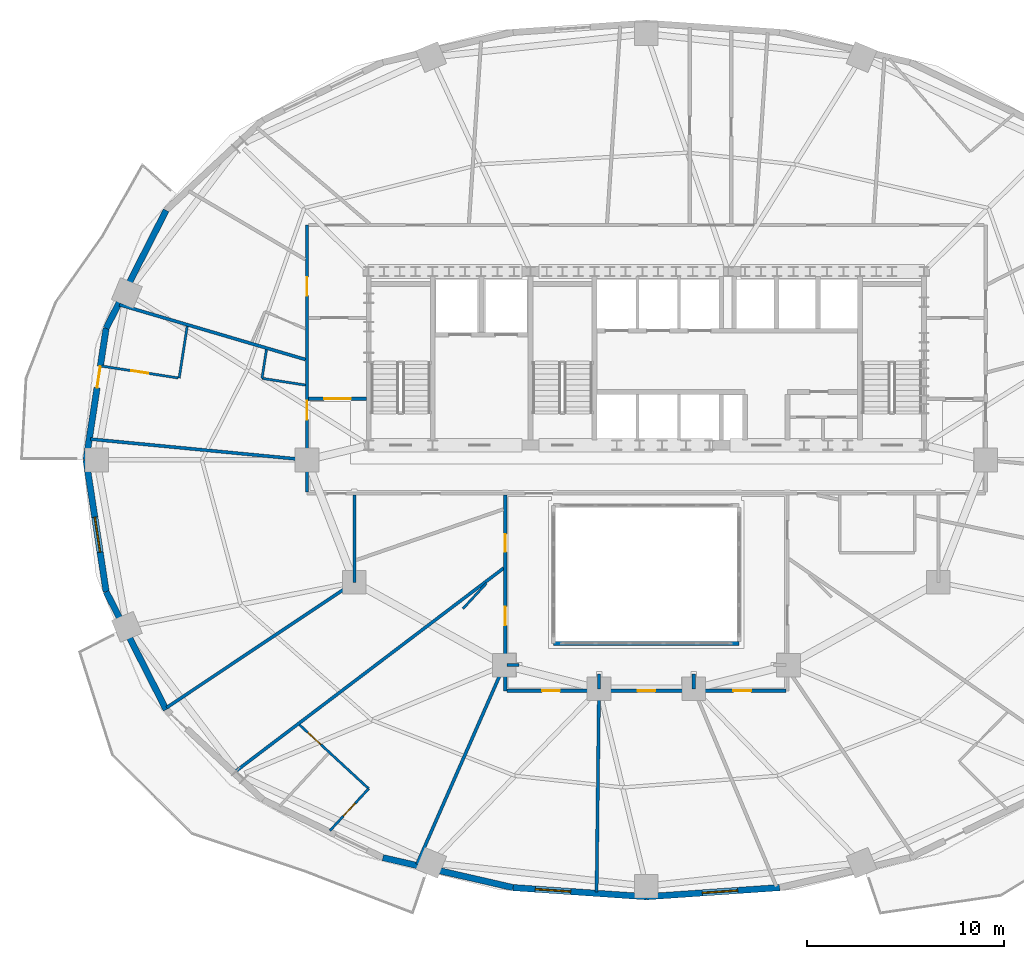
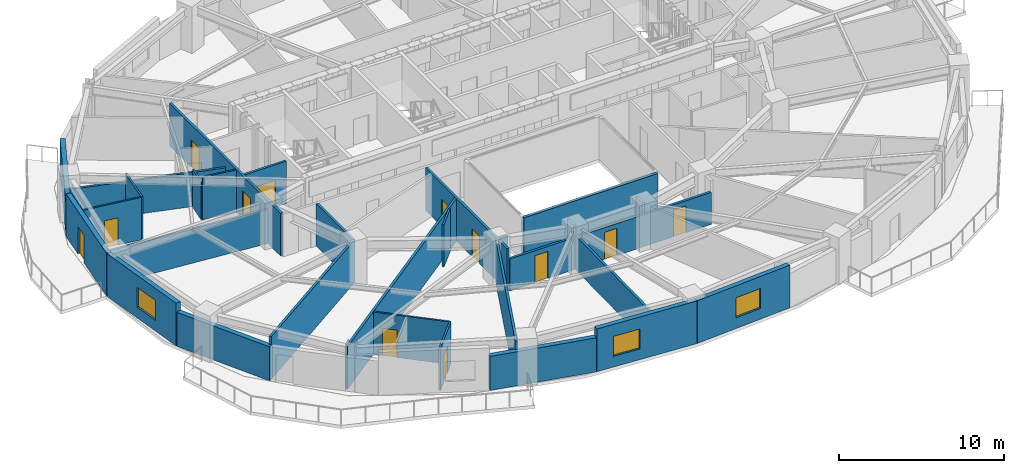
# One storey, part 7 of 14: 29 walls, 12 doors, 3 windows, 15 openings.
"""IFC4 building model written with IfcOpenShell, lengths in metres."""

from ifc_helpers import new_model, si_unit, direction, frame, frame_2d, origin, place, context, subcontext, project, spatial, rectangle, extrude, material, layer, layer_set, type_object, element, fill, save


model = new_model("IFC4")

# Units and contexts
model_context = context("Model", 3, precision=1e-05, world=origin(), true_north=direction((0.0, 1.0)))
body_context = subcontext(model_context, "Body", "Model", "MODEL_VIEW")
ifc_project = project(units=[si_unit("LENGTHUNIT", "METRE"), si_unit("AREAUNIT", "SQUARE_METRE"), si_unit("VOLUMEUNIT", "CUBIC_METRE"), si_unit("PLANEANGLEUNIT", "RADIAN"), si_unit("MASSUNIT", "GRAM", prefix="KILO")], contexts=[model_context])

# Site, building, storey
site_placement = place(None, origin())
site = spatial("IfcSite", under=ifc_project, at=site_placement, CompositionType="ELEMENT")
building_placement = place(site_placement, origin())
building = spatial("IfcBuilding", under=site, at=building_placement, Name="Haldorwick Loom Tower", CompositionType="ELEMENT")
storey_placement = place(building_placement, frame((0.0, 0.0, 102.5)))
storey = spatial("IfcBuildingStorey", under=building, at=storey_placement, Name="L27", CompositionType="ELEMENT", Elevation=102.5)

# Wall
ifc_material_1 = material(Name="Pressed Clay Face Brick and Insulated Masonry Backup Assembly", Category="masonry")
ifc_layer_1 = layer(ifc_material_1, 0.320068359375, Name="Pressed Clay Face Brick and Insulated Masonry Backup Assembly", Category="masonry")
ifc_layer_set_1 = layer_set([ifc_layer_1], Name="Pressed Clay Face Brick and Insulated Masonry Backup Assembly")
wall_type_1 = type_object("IfcWallType", Name="ARC-WL-EXT320", PredefinedType="STANDARD", material=ifc_layer_set_1)
wall_1_placement = place(storey_placement, frame((11.661376953125, 38.655517578125, 0.0), z_axis=(0.0, 0.0, 1.0), x_axis=(-0.453374078001, -0.89132033826, 0.0)))
element("IfcWall", 1, at=wall_1_placement, inside=storey, type_object=wall_type_1, Name="L27 Brick Pier and Spandrel Wall 11", PredefinedType="STANDARD", context=body_context, shape_type="SweptSolid", body=[
    extrude(rectangle(XDim=6.709716796875, YDim=0.320068359375, at=frame_2d((3.35498046875, 0.0))), origin(), (0.0, 0.0, 1.0), 2.529052734375),
])

# Wall, opening, door
wall_2_placement = place(storey_placement, frame((8.619384765625, 32.675048828125, 0.0), z_axis=(0.0, 0.0, 1.0), x_axis=(-0.150633288003, -0.988589708901, 0.0)))
wall_2 = element("IfcWall", 2, at=wall_2_placement, inside=storey, type_object=wall_type_1, Name="L27 Brick Pier and Spandrel Wall 12", PredefinedType="STANDARD", context=body_context, shape_type="SweptSolid", body=[
    extrude(rectangle(XDim=6.752197265625, YDim=0.320068359375, at=frame_2d((3.3759765625, 0.0))), origin(), (0.0, 0.0, 1.0), 3.169921875),
])
opening_1_placement = place(wall_2_placement, frame((1.9638671875, 0.0, 0.0)))
opening_1 = element("IfcOpeningElement", 3, at=opening_1_placement, cuts=wall_2, Name="Opening D-BL11", PredefinedType="OPENING", context=body_context, shape_type="SweptSolid", body=[
    extrude(rectangle(XDim=1.080078125, YDim=2.0400390625, at=frame_2d((0.5400390625, 1.02001953125))), frame((0.0, 0.169921875, 0.0), z_axis=(0.0, -1.0, 0.0), x_axis=(1.0, 0.0, 0.0)), (0.0, 0.0, 1.0), 0.340087890625),
])
ifc_material_2 = material(Name="Thermally Broken Anodized Aluminium Curtain Wall Framing", Category="aluminium")
door_type_1 = type_object("IfcDoorType", Name="ARC-DR-BAL110", OperationType="NOTDEFINED", PredefinedType="DOOR", material=ifc_material_2)
door_1_placement = place(opening_1_placement, origin())
door_1 = element("IfcDoor", 4, at=door_1_placement, inside=storey, type_object=door_type_1, Name="L27 Outdoor Terrace Door SLB-L27-BAL_WNW", OperationType="SINGLE_SWING_LEFT", OverallHeight=2.0400390625, OverallWidth=1.080078125, PredefinedType="DOOR", context=body_context, shape_type="SweptSolid", body=[
    extrude(rectangle(XDim=1.080078125, YDim=2.0400390625, at=frame_2d((0.5400390625, 1.02001953125))), frame((0.0, 0.02490234375, 0.0), z_axis=(0.0, -1.0, 0.0), x_axis=(1.0, 0.0, 0.0)), (0.0, 0.0, 1.0), 0.050048828125),
])
fill(opening_1, door_1)

# Wall, opening, window
wall_3_placement = place(storey_placement, frame((7.602294921875, 26.0, 0.0), z_axis=(0.0, 0.0, 1.0), x_axis=(0.150633288003, -0.988589708901, 0.0)))
wall_3 = element("IfcWall", 5, at=wall_3_placement, inside=storey, type_object=wall_type_1, Name="L27 Brick Pier and Spandrel Wall 13", PredefinedType="STANDARD", context=body_context, shape_type="SweptSolid", body=[
    extrude(rectangle(XDim=6.752197265625, YDim=0.320068359375, at=frame_2d((3.3759765625, 0.0))), origin(), (0.0, 0.0, 1.0), 3.169921875),
])
opening_2_placement = place(wall_3_placement, frame((2.92724609375, 0.0, 0.800048828125)))
opening_2 = element("IfcOpeningElement", 6, at=opening_2_placement, cuts=wall_3, Name="Opening W-01", PredefinedType="OPENING", context=body_context, shape_type="SweptSolid", body=[
    extrude(rectangle(XDim=1.800048828125, YDim=1.47998046875, at=frame_2d((0.89990234375, 0.739990234375))), frame((0.0, 0.169921875, 0.0), z_axis=(0.0, -1.0, 0.0), x_axis=(1.0, 0.0, 0.0)), (0.0, 0.0, 1.0), 0.340087890625),
])
ifc_material_3 = material(Name="Triple-Glazed Low-E Argon Insulated Glazing Unit", Category="glass")
window_type = type_object("IfcWindowType", Name="ARC-WIN-W180", PartitioningType="SINGLE_PANEL", PredefinedType="WINDOW", material=ifc_material_3)
window_1_placement = place(opening_2_placement, origin())
window_1 = element("IfcWindow", 7, at=window_1_placement, inside=storey, type_object=window_type, Name="L27 Deep-Set Zone 7A Window 13", OverallHeight=1.47998046875, OverallWidth=1.800048828125, PartitioningType="SINGLE_PANEL", PredefinedType="WINDOW", context=body_context, shape_type="SweptSolid", body=[
    extrude(rectangle(XDim=1.800048828125, YDim=1.47998046875, at=frame_2d((0.89990234375, 0.739990234375))), frame((0.0, 0.030029296875, 0.0), z_axis=(0.0, -1.0, 0.0), x_axis=(1.0, 0.0, 0.0)), (0.0, 0.0, 1.0), 0.06005859375),
])
fill(opening_2, window_1)

# Walls
wall_4_placement = place(storey_placement, frame((8.619384765625, 19.324951171875, 0.0), z_axis=(0.0, 0.0, 1.0), x_axis=(0.453374078001, -0.89132033826, 0.0)))
element("IfcWall", 8, at=wall_4_placement, inside=storey, type_object=wall_type_1, Name="L27 Brick Pier and Spandrel Wall 14", PredefinedType="STANDARD", context=body_context, shape_type="SweptSolid", body=[
    extrude(rectangle(XDim=6.709716796875, YDim=0.320068359375, at=frame_2d((3.35498046875, 0.0))), origin(), (0.0, 0.0, 1.0), 2.529052734375),
])
wall_5_placement = place(storey_placement, frame((22.647216796875, 5.841552734375, 0.0), z_axis=(0.0, 0.0, 1.0), x_axis=(0.974584177714, -0.224021607329, 0.0)))
element("IfcWall", 9, at=wall_5_placement, inside=storey, type_object=wall_type_1, Name="L27 Brick Pier and Spandrel Wall 17", PredefinedType="STANDARD", context=body_context, shape_type="SweptSolid", body=[
    extrude(rectangle(XDim=6.767822265625, YDim=0.320068359375, at=frame_2d((3.3837890625, 0.0))), origin(), (0.0, 0.0, 1.0), 2.529052734375),
])

# Wall, opening, window
wall_6_placement = place(storey_placement, frame((29.242919921875, 4.325439453125, 0.0), z_axis=(0.0, 0.0, 1.0), x_axis=(0.997651949344, -0.068487867318, 0.0)))
wall_6 = element("IfcWall", 10, at=wall_6_placement, inside=storey, type_object=wall_type_1, Name="L27 Brick Pier and Spandrel Wall 18", PredefinedType="STANDARD", context=body_context, shape_type="SweptSolid", body=[
    extrude(rectangle(XDim=6.77294921875, YDim=0.320068359375, at=frame_2d((3.386474609375, 0.0))), origin(), (0.0, 0.0, 1.0), 3.169921875),
])
opening_3_placement = place(wall_6_placement, frame((1.1318359375, 0.0, 0.800048828125)))
opening_3 = element("IfcOpeningElement", 11, at=opening_3_placement, cuts=wall_6, Name="Opening W-01", PredefinedType="OPENING", context=body_context, shape_type="SweptSolid", body=[
    extrude(rectangle(XDim=1.800048828125, YDim=1.47998046875, at=frame_2d((0.89990234375, 0.739990234375))), frame((0.0, 0.169921875, 0.0), z_axis=(0.0, -1.0, 0.0), x_axis=(1.0, 0.0, 0.0)), (0.0, 0.0, 1.0), 0.340087890625),
])
window_2_placement = place(opening_3_placement, origin())
window_2 = element("IfcWindow", 12, at=window_2_placement, inside=storey, type_object=window_type, Name="L27 Deep-Set Zone 7A Window 18", OverallHeight=1.47998046875, OverallWidth=1.800048828125, PartitioningType="SINGLE_PANEL", PredefinedType="WINDOW", context=body_context, shape_type="SweptSolid", body=[
    extrude(rectangle(XDim=1.800048828125, YDim=1.47998046875, at=frame_2d((0.89990234375, 0.739990234375))), frame((0.0, 0.030029296875, 0.0), z_axis=(0.0, -1.0, 0.0), x_axis=(1.0, 0.0, 0.0)), (0.0, 0.0, 1.0), 0.06005859375),
])
fill(opening_3, window_2)

wall_7_placement = place(storey_placement, frame((36.0, 3.861572265625, 0.0), z_axis=(0.0, 0.0, 1.0), x_axis=(0.997651949344, 0.068487867318, 0.0)))
wall_7 = element("IfcWall", 13, at=wall_7_placement, inside=storey, type_object=wall_type_1, Name="L27 Brick Pier and Spandrel Wall 19", PredefinedType="STANDARD", context=body_context, shape_type="SweptSolid", body=[
    extrude(rectangle(XDim=6.77294921875, YDim=0.320068359375, at=frame_2d((3.386474609375, 0.0))), origin(), (0.0, 0.0, 1.0), 3.169921875),
])
opening_4_placement = place(wall_7_placement, frame((2.84423828125, 0.0, 0.800048828125)))
opening_4 = element("IfcOpeningElement", 14, at=opening_4_placement, cuts=wall_7, Name="Opening W-01", PredefinedType="OPENING", context=body_context, shape_type="SweptSolid", body=[
    extrude(rectangle(XDim=1.800048828125, YDim=1.47998046875, at=frame_2d((0.89990234375, 0.739990234375))), frame((0.0, 0.169921875, 0.0), z_axis=(0.0, -1.0, 0.0), x_axis=(1.0, 0.0, 0.0)), (0.0, 0.0, 1.0), 0.340087890625),
])
window_3_placement = place(opening_4_placement, origin())
window_3 = element("IfcWindow", 15, at=window_3_placement, inside=storey, type_object=window_type, Name="L27 Deep-Set Zone 7A Window 19", OverallHeight=1.47998046875, OverallWidth=1.800048828125, PartitioningType="SINGLE_PANEL", PredefinedType="WINDOW", context=body_context, shape_type="SweptSolid", body=[
    extrude(rectangle(XDim=1.800048828125, YDim=1.47998046875, at=frame_2d((0.89990234375, 0.739990234375))), frame((0.0, 0.030029296875, 0.0), z_axis=(0.0, -1.0, 0.0), x_axis=(1.0, 0.0, 0.0)), (0.0, 0.0, 1.0), 0.06005859375),
])
fill(opening_4, window_3)

# Wall, openings, doors
ifc_material_4 = material(Name="Fire-Rated Type X Gypsum Stud Assembly EI 60")
ifc_layer_2 = layer(ifc_material_4, 0.159912109375, Name="Fire-Rated Type X Gypsum Stud Assembly EI 60")
ifc_layer_set_2 = layer_set([ifc_layer_2], Name="Fire-Rated Type X Gypsum Stud Assembly EI 60")
wall_type_2 = type_object("IfcWallType", Name="ARC-WL-FIRE160", PredefinedType="PARTITIONING", material=ifc_layer_set_2)
wall_8_placement = place(storey_placement, frame((18.800048828125, 24.383056640625, 0.0), z_axis=(0.0, 0.0, 1.0), x_axis=(0.0, 1.0, 0.0)))
wall_8 = element("IfcWall", 16, at=wall_8_placement, inside=storey, type_object=wall_type_2, Name="L27 Residential Fire Partition L27-CR-W0", PredefinedType="PARTITIONING", context=body_context, shape_type="SweptSolid", body=[
    extrude(rectangle(XDim=13.516845703125, YDim=0.159912109375, at=frame_2d((6.75830078125, 0.0))), origin(), (0.0, 0.0, 1.0), 3.155029296875),
])
opening_5_placement = place(wall_8_placement, frame((3.661865234375, 0.0, 0.0)))
opening_5 = element("IfcOpeningElement", 17, at=opening_5_placement, cuts=wall_8, Name="Opening D-FL95", PredefinedType="OPENING", context=body_context, shape_type="SweptSolid", body=[
    extrude(rectangle(XDim=0.949951171875, YDim=2.0400390625, at=frame_2d((0.47509765625, 1.02001953125))), frame((0.0, 0.08984375, 0.0), z_axis=(0.0, -1.0, 0.0), x_axis=(1.0, 0.0, 0.0)), (0.0, 0.0, 1.0), 0.179931640625),
])
opening_6_placement = place(wall_8_placement, frame((9.939697265625, 0.0, 0.0)))
opening_6 = element("IfcOpeningElement", 18, at=opening_6_placement, cuts=wall_8, Name="Opening D-FL95", PredefinedType="OPENING", context=body_context, shape_type="SweptSolid", body=[
    extrude(rectangle(XDim=0.949951171875, YDim=2.0400390625, at=frame_2d((0.47509765625, 1.02001953125))), frame((0.0, 0.08984375, 0.0), z_axis=(0.0, -1.0, 0.0), x_axis=(1.0, 0.0, 0.0)), (0.0, 0.0, 1.0), 0.179931640625),
])
ifc_material_5 = material(Name="Solid Core Birch Architectural Door")
door_type_2 = type_object("IfcDoorType", Name="ARC-DR-FLAT95", OperationType="NOTDEFINED", PredefinedType="DOOR", material=ifc_material_5)
door_2_placement = place(opening_5_placement, frame((0.949951171875, 0.0, 0.0), z_axis=(0.0, 0.0, 1.0), x_axis=(-1.0, 0.0, 0.0)))
door_2 = element("IfcDoor", 19, at=door_2_placement, inside=storey, type_object=door_type_2, Name="L27 Unit 27J Kitchen and Studio Living Room to L27 Central Residential C", OperationType="SINGLE_SWING_LEFT", OverallHeight=2.0400390625, OverallWidth=0.949951171875, PredefinedType="DOOR", context=body_context, shape_type="SweptSolid", body=[
    extrude(rectangle(XDim=0.949951171875, YDim=2.0400390625, at=frame_2d((0.47509765625, 1.02001953125))), frame((0.0, 0.02490234375, 0.0), z_axis=(0.0, -1.0, 0.0), x_axis=(1.0, 0.0, 0.0)), (0.0, 0.0, 1.0), 0.050048828125),
])
fill(opening_5, door_2)
door_3_placement = place(opening_6_placement, frame((0.949951171875, 0.0, 0.0), z_axis=(0.0, 0.0, 1.0), x_axis=(-1.0, 0.0, 0.0)))
door_3 = element("IfcDoor", 20, at=door_3_placement, inside=storey, type_object=door_type_2, Name="L27 Unit 27K Kitchen and Studio Living Room to L27 North Residential Cor", OperationType="SINGLE_SWING_LEFT", OverallHeight=2.0400390625, OverallWidth=0.949951171875, PredefinedType="DOOR", context=body_context, shape_type="SweptSolid", body=[
    extrude(rectangle(XDim=0.949951171875, YDim=2.0400390625, at=frame_2d((0.47509765625, 1.02001953125))), frame((0.0, 0.02490234375, 0.0), z_axis=(0.0, -1.0, 0.0), x_axis=(1.0, 0.0, 0.0)), (0.0, 0.0, 1.0), 0.050048828125),
])
fill(opening_6, door_3)

# Wall, opening, door
wall_9_placement = place(storey_placement, frame((18.883056640625, 29.10009765625, 0.0), z_axis=(0.0, 0.0, 1.0), x_axis=(1.0, 0.0, 0.0)))
wall_9 = element("IfcWall", 21, at=wall_9_placement, inside=storey, type_object=wall_type_2, Name="L27 Residential Fire Partition L27-CR-WSJ", PredefinedType="PARTITIONING", context=body_context, shape_type="SweptSolid", body=[
    extrude(rectangle(XDim=2.923828125, YDim=0.159912109375, at=frame_2d((1.4619140625, 0.0))), origin(), (0.0, 0.0, 1.0), 3.155029296875),
])
opening_7_placement = place(wall_9_placement, frame((0.787109375, 0.0, 0.0)))
opening_7 = element("IfcOpeningElement", 22, at=opening_7_placement, cuts=wall_9, Name="Opening D-CR15", PredefinedType="OPENING", context=body_context, shape_type="SweptSolid", body=[
    extrude(rectangle(XDim=1.35009765625, YDim=2.0, at=frame_2d((0.675048828125, 1.0))), frame((0.0, 0.08984375, 0.0), z_axis=(0.0, -1.0, 0.0), x_axis=(1.0, 0.0, 0.0)), (0.0, 0.0, 1.0), 0.179931640625),
])
ifc_material_6 = material(Name="Thermally Broken Anodized Aluminium and Tempered Glass", Category="aluminium")
door_type_3 = type_object("IfcDoorType", Name="ARC-DR-COR150", OperationType="NOTDEFINED", PredefinedType="DOOR", material=ifc_material_6)
door_4_placement = place(opening_7_placement, origin())
door_4 = element("IfcDoor", 23, at=door_4_placement, inside=storey, type_object=door_type_3, Name="L27 L27 West Residential Corridor to L27 Central Residential Corridor Do", OperationType="DOUBLE_DOOR_SINGLE_SWING", OverallHeight=2.0, OverallWidth=1.35009765625, PredefinedType="DOOR", context=body_context, shape_type="SweptSolid", body=[
    extrude(rectangle(XDim=1.35009765625, YDim=2.0, at=frame_2d((0.675048828125, 1.0))), frame((0.0, 0.02490234375, 0.0), z_axis=(0.0, -1.0, 0.0), x_axis=(1.0, 0.0, 0.0)), (0.0, 0.0, 1.0), 0.050048828125),
])
fill(opening_7, door_4)

# Wall, openings, doors
wall_10_placement = place(storey_placement, frame((28.85009765625, 14.300048828125, 0.0), z_axis=(0.0, 0.0, 1.0), x_axis=(0.0, 1.0, 0.0)))
wall_10 = element("IfcWall", 24, at=wall_10_placement, inside=storey, type_object=wall_type_2, Name="L27 Residential Fire Partition L27-CR-AW", PredefinedType="PARTITIONING", context=body_context, shape_type="SweptSolid", body=[
    extrude(rectangle(XDim=9.9169921875, YDim=0.159912109375, at=frame_2d((4.95849609375, 0.0))), origin(), (0.0, 0.0, 1.0), 3.155029296875),
])
opening_8_placement = place(wall_10_placement, frame((3.3125, 0.0, 0.0)))
opening_8 = element("IfcOpeningElement", 25, at=opening_8_placement, cuts=wall_10, Name="Opening D-FL95", PredefinedType="OPENING", context=body_context, shape_type="SweptSolid", body=[
    extrude(rectangle(XDim=0.949951171875, YDim=2.0400390625, at=frame_2d((0.47509765625, 1.02001953125))), frame((0.0, 0.08984375, 0.0), z_axis=(0.0, -1.0, 0.0), x_axis=(1.0, 0.0, 0.0)), (0.0, 0.0, 1.0), 0.179931640625),
])
opening_9_placement = place(wall_10_placement, frame((7.042724609375, 0.0, 0.0)))
opening_9 = element("IfcOpeningElement", 26, at=opening_9_placement, cuts=wall_10, Name="Opening D-FD60A", PredefinedType="OPENING", context=body_context, shape_type="SweptSolid", body=[
    extrude(rectangle(XDim=0.89990234375, YDim=2.0, at=frame_2d((0.449951171875, 1.0))), frame((0.0, 0.08984375, 0.0), z_axis=(0.0, -1.0, 0.0), x_axis=(1.0, 0.0, 0.0)), (0.0, 0.0, 1.0), 0.179931640625),
])
ifc_material_7 = material(Name="Hollow Steel Fire Door Assembly", Category="steel")
door_type_4 = type_object("IfcDoorType", Name="ARC-DR-FD60-90", OperationType="NOTDEFINED", PredefinedType="DOOR", material=ifc_material_7)
door_5_placement = place(opening_9_placement, frame((0.89990234375, 0.0, 0.0), z_axis=(0.0, 0.0, 1.0), x_axis=(-1.0, 0.0, 0.0)))
door_5 = element("IfcDoor", 27, at=door_5_placement, inside=storey, type_object=door_type_4, Name="L27 Co-Working Open Office 5 to L27 South Atrium Corridor Door", OperationType="SINGLE_SWING_RIGHT", OverallHeight=2.0, OverallWidth=0.89990234375, PredefinedType="DOOR", context=body_context, shape_type="SweptSolid", body=[
    extrude(rectangle(XDim=0.89990234375, YDim=2.0, at=frame_2d((0.449951171875, 1.0))), frame((0.0, 0.02490234375, 0.0), z_axis=(0.0, -1.0, 0.0), x_axis=(1.0, 0.0, 0.0)), (0.0, 0.0, 1.0), 0.050048828125),
])
fill(opening_9, door_5)
door_6_placement = place(opening_8_placement, frame((0.949951171875, 0.0, 0.0), z_axis=(0.0, 0.0, 1.0), x_axis=(-1.0, 0.0, 0.0)))
door_6 = element("IfcDoor", 28, at=door_6_placement, inside=storey, type_object=door_type_2, Name="L27 Unit 27M Kitchen and Living Room to L27 South Atrium Corridor Door", OperationType="SINGLE_SWING_RIGHT", OverallHeight=2.0400390625, OverallWidth=0.949951171875, PredefinedType="DOOR", context=body_context, shape_type="SweptSolid", body=[
    extrude(rectangle(XDim=0.949951171875, YDim=2.0400390625, at=frame_2d((0.47509765625, 1.02001953125))), frame((0.0, 0.02490234375, 0.0), z_axis=(0.0, -1.0, 0.0), x_axis=(1.0, 0.0, 0.0)), (0.0, 0.0, 1.0), 0.050048828125),
])
fill(opening_8, door_6)

wall_11_placement = place(storey_placement, frame((28.93310546875, 14.300048828125, 0.0), z_axis=(0.0, 0.0, 1.0), x_axis=(1.0, 0.0, 0.0)))
wall_11 = element("IfcWall", 29, at=wall_11_placement, inside=storey, type_object=wall_type_2, Name="L27 Residential Fire Partition L27-CR-AS", PredefinedType="PARTITIONING", context=body_context, shape_type="SweptSolid", body=[
    extrude(rectangle(XDim=14.1337890625, YDim=0.159912109375, at=frame_2d((7.06689453125, 0.0))), origin(), (0.0, 0.0, 1.0), 2.3720703125),
])
opening_10_placement = place(wall_11_placement, frame((6.626953125, 0.0, 0.0)))
opening_10 = element("IfcOpeningElement", 30, at=opening_10_placement, cuts=wall_11, Name="Opening D-FD88", PredefinedType="OPENING", context=body_context, shape_type="SweptSolid", body=[
    extrude(rectangle(XDim=0.8798828125, YDim=2.02001953125, at=frame_2d((0.43994140625, 1.010009765625))), frame((0.0, 0.08984375, 0.0), z_axis=(0.0, -1.0, 0.0), x_axis=(1.0, 0.0, 0.0)), (0.0, 0.0, 1.0), 0.179931640625),
])
opening_11_placement = place(wall_11_placement, frame((1.77880859375, 0.0, 0.0)))
opening_11 = element("IfcOpeningElement", 31, at=opening_11_placement, cuts=wall_11, Name="Opening D-FD60A", PredefinedType="OPENING", context=body_context, shape_type="SweptSolid", body=[
    extrude(rectangle(XDim=0.89990234375, YDim=2.0, at=frame_2d((0.449951171875, 1.0))), frame((0.0, 0.08984375, 0.0), z_axis=(0.0, -1.0, 0.0), x_axis=(1.0, 0.0, 0.0)), (0.0, 0.0, 1.0), 0.179931640625),
])
opening_12_placement = place(wall_11_placement, frame((11.4755859375, 0.0, 0.0)))
opening_12 = element("IfcOpeningElement", 32, at=opening_12_placement, cuts=wall_11, Name="Opening D-FD60A", PredefinedType="OPENING", context=body_context, shape_type="SweptSolid", body=[
    extrude(rectangle(XDim=0.89990234375, YDim=2.0, at=frame_2d((0.449951171875, 1.0))), frame((0.0, 0.08984375, 0.0), z_axis=(0.0, -1.0, 0.0), x_axis=(1.0, 0.0, 0.0)), (0.0, 0.0, 1.0), 0.179931640625),
])
door_type_5 = type_object("IfcDoorType", Name="ARC-DR-FD60-88", OperationType="NOTDEFINED", PredefinedType="DOOR", material=ifc_material_7)
door_7_placement = place(opening_10_placement, origin())
door_7 = element("IfcDoor", 33, at=door_7_placement, inside=storey, type_object=door_type_5, Name="L27 L27 South Atrium Corridor to Shared Tea Pantry 1 Door", OperationType="SINGLE_SWING_LEFT", OverallHeight=2.02001953125, OverallWidth=0.8798828125, PredefinedType="DOOR", context=body_context, shape_type="SweptSolid", body=[
    extrude(rectangle(XDim=0.8798828125, YDim=2.02001953125, at=frame_2d((0.43994140625, 1.010009765625))), frame((0.0, 0.02490234375, 0.0), z_axis=(0.0, -1.0, 0.0), x_axis=(1.0, 0.0, 0.0)), (0.0, 0.0, 1.0), 0.050048828125),
])
fill(opening_10, door_7)
door_8_placement = place(opening_11_placement, origin())
door_8 = element("IfcDoor", 34, at=door_8_placement, inside=storey, type_object=door_type_4, Name="L27 L27 South Atrium Corridor to Shared Tea Pantry 2 Door", OperationType="SINGLE_SWING_RIGHT", OverallHeight=2.0, OverallWidth=0.89990234375, PredefinedType="DOOR", context=body_context, shape_type="SweptSolid", body=[
    extrude(rectangle(XDim=0.89990234375, YDim=2.0, at=frame_2d((0.449951171875, 1.0))), frame((0.0, 0.02490234375, 0.0), z_axis=(0.0, -1.0, 0.0), x_axis=(1.0, 0.0, 0.0)), (0.0, 0.0, 1.0), 0.050048828125),
])
fill(opening_11, door_8)
door_9_placement = place(opening_12_placement, origin())
door_9 = element("IfcDoor", 35, at=door_9_placement, inside=storey, type_object=door_type_4, Name="L27 L27 South Atrium Corridor to Co-Working Open Office 6 Door", OperationType="SINGLE_SWING_LEFT", OverallHeight=2.0, OverallWidth=0.89990234375, PredefinedType="DOOR", context=body_context, shape_type="SweptSolid", body=[
    extrude(rectangle(XDim=0.89990234375, YDim=2.0, at=frame_2d((0.449951171875, 1.0))), frame((0.0, 0.02490234375, 0.0), z_axis=(0.0, -1.0, 0.0), x_axis=(1.0, 0.0, 0.0)), (0.0, 0.0, 1.0), 0.050048828125),
])
fill(opening_12, door_9)

# Walls
wall_12_placement = place(storey_placement, frame((33.597900390625, 14.217041015625, 0.0), z_axis=(0.0, 0.0, 1.0), x_axis=(-0.012040923411, -0.999927505454, 0.0)))
element("IfcWall", 36, at=wall_12_placement, inside=storey, type_object=wall_type_2, Name="L27 Residential Fire Partition L27-ICR-07", PredefinedType="PARTITIONING", context=body_context, shape_type="SweptSolid", body=[
    extrude(rectangle(XDim=10.11767578125, YDim=0.159912109375, at=frame_2d((5.058837890625, 0.0))), origin(), (0.0, 0.0, 1.0), 2.528076171875),
])
wall_13_placement = place(storey_placement, frame((28.76708984375, 15.52490234375, 0.0), z_axis=(0.0, 0.0, 1.0), x_axis=(-0.401875008361, -0.915694532939, 0.0)))
element("IfcWall", 37, at=wall_13_placement, inside=storey, type_object=wall_type_2, Name="L27 Residential Fire Partition L27-ICR-09", PredefinedType="PARTITIONING", context=body_context, shape_type="SweptSolid", body=[
    extrude(rectangle(XDim=10.93505859375, YDim=0.159912109375, at=frame_2d((5.467529296875, 0.0))), origin(), (0.0, 0.0, 1.0), 3.155029296875),
])
wall_14_placement = place(storey_placement, frame((21.199951171875, 19.800048828125, 0.0), z_axis=(0.0, 0.0, 1.0), x_axis=(-0.831666071821, -0.555276097975, 0.0)))
element("IfcWall", 38, at=wall_14_placement, inside=storey, type_object=wall_type_2, Name="L27 Residential Fire Partition L27-ICR-11", PredefinedType="PARTITIONING", context=body_context, shape_type="SweptSolid", body=[
    extrude(rectangle(XDim=11.443359375, YDim=0.159912109375, at=frame_2d((5.7216796875, 0.0))), origin(), (0.0, 0.0, 1.0), 3.155029296875),
])
wall_15_placement = place(storey_placement, frame((18.717041015625, 26.008056640625, 0.0), z_axis=(0.0, 0.0, 1.0), x_axis=(-0.995396629951, 0.095841270243, 0.0)))
element("IfcWall", 39, at=wall_15_placement, inside=storey, type_object=wall_type_2, Name="L27 Residential Fire Partition L27-ICR-12", PredefinedType="PARTITIONING", context=body_context, shape_type="SweptSolid", body=[
    extrude(rectangle(XDim=10.938232421875, YDim=0.159912109375, at=frame_2d((5.46923828125, 0.0))), origin(), (0.0, 0.0, 1.0), 2.528076171875),
])
for number, where, z_axis, x_axis, name in (
    (40, (38.39990234375, 15.14990234375, 0.0), (0.0, 0.0, 1.0), (0.0, -1.0, 0.0), "L27 Residential Fire Partition L27-ICA-04"),
    (41, (33.60009765625, 15.14990234375, 0.0), (0.0, 0.0, 1.0), (0.0, -1.0, 0.0), "L27 Residential Fire Partition L27-ICA-06"),
):
    element("IfcWall", number, at=place(storey_placement, frame(where, z_axis=z_axis, x_axis=x_axis)), inside=storey, type_object=wall_type_2, Name=name, PredefinedType="PARTITIONING", context=body_context, shape_type="SweptSolid", body=[
        extrude(rectangle(XDim=0.75, YDim=0.159912109375, at=frame_2d((0.375, 0.0))), origin(), (0.0, 0.0, 1.0), 3.155029296875),
    ])
wall_16_placement = place(storey_placement, frame((29.550048828125, 15.60009765625, 0.0), z_axis=(0.0, 0.0, 1.0), x_axis=(-1.0, 0.0, 0.0)))
element("IfcWall", 42, at=wall_16_placement, inside=storey, type_object=wall_type_2, Name="L27 Residential Fire Partition L27-ICA-08", PredefinedType="PARTITIONING", context=body_context, shape_type="SweptSolid", body=[
    extrude(rectangle(XDim=0.616943359375, YDim=0.159912109375, at=frame_2d((0.30859375, 0.0))), origin(), (0.0, 0.0, 1.0), 3.155029296875),
])
wall_17_placement = place(storey_placement, frame((21.199951171875, 24.217041015625, 0.0), z_axis=(0.0, 0.0, 1.0), x_axis=(0.0, -1.0, 0.0)))
element("IfcWall", 43, at=wall_17_placement, inside=storey, type_object=wall_type_2, Name="L27 Residential Fire Partition L27-ICA-10", PredefinedType="PARTITIONING", context=body_context, shape_type="SweptSolid", body=[
    extrude(rectangle(XDim=4.4169921875, YDim=0.159912109375, at=frame_2d((2.20849609375, 0.0))), origin(), (0.0, 0.0, 1.0), 3.155029296875),
])
wall_18_placement = place(storey_placement, frame((28.76708984375, 20.517333984375, 0.0), z_axis=(0.0, 0.0, 1.0), x_axis=(-0.796926704047, -0.604076012085, 0.0)))
element("IfcWall", 44, at=wall_18_placement, inside=storey, type_object=wall_type_2, Name="L27 Suite Split Wall", PredefinedType="PARTITIONING", context=body_context, shape_type="SweptSolid", body=[
    extrude(rectangle(XDim=17.093017578125, YDim=0.159912109375, at=frame_2d((8.54638671875, 0.0))), origin(), (0.0, 0.0, 1.0), 3.155029296875),
])
wall_19_placement = place(storey_placement, frame((18.717041015625, 31.091796875, 0.0), z_axis=(0.0, 0.0, 1.0), x_axis=(-0.959240687081, 0.282590347055, 0.0)))
element("IfcWall", 45, at=wall_19_placement, inside=storey, type_object=wall_type_2, Name="L27 Suite Split Wall", PredefinedType="PARTITIONING", context=body_context, shape_type="SweptSolid", body=[
    extrude(rectangle(XDim=9.818603515625, YDim=0.159912109375, at=frame_2d((4.9091796875, 0.0))), origin(), (0.0, 0.0, 1.0), 2.528076171875),
])
ifc_material_8 = material(Name="Fire-Rated Type X Gypsum Stud Assembly EI 120")
ifc_layer_3 = layer(ifc_material_8, 0.199951171875, Name="Fire-Rated Type X Gypsum Stud Assembly EI 120")
ifc_layer_set_3 = layer_set([ifc_layer_3], Name="Fire-Rated Type X Gypsum Stud Assembly EI 120")
wall_type_3 = type_object("IfcWallType", Name="ARC-WL-FIRE200", PredefinedType="PARTITIONING", material=ifc_layer_set_3)
wall_20_placement = place(storey_placement, frame((40.699951171875, 16.699951171875, 0.0), z_axis=(0.0, 0.0, 1.0), x_axis=(-1.0, 0.0, 0.0)))
element("IfcWall", 46, at=wall_20_placement, inside=storey, type_object=wall_type_3, Name="L27 Atrium Fire Enclosure Wall S", PredefinedType="PARTITIONING", context=body_context, shape_type="SweptSolid", body=[
    extrude(rectangle(XDim=9.39990234375, YDim=0.199951171875, at=frame_2d((4.699951171875, 0.0))), origin(), (0.0, 0.0, 1.0), 3.155029296875),
])
ifc_material_9 = material(Name="Acoustic Gypsum Stud Assembly STC 55")
ifc_layer_4 = layer(ifc_material_9, 0.1201171875, Name="Acoustic Gypsum Stud Assembly STC 55")
ifc_layer_set_4 = layer_set([ifc_layer_4], Name="Acoustic Gypsum Stud Assembly STC 55")
wall_type_4 = type_object("IfcWallType", Name="ARC-WL-PART120", PredefinedType="PARTITIONING", material=ifc_layer_set_4)
wall_21_placement = place(storey_placement, frame((16.74462890625, 31.586181640625, 0.0), z_axis=(0.0, 0.0, 1.0), x_axis=(-0.153595076701, -0.98813387373, 0.0)))
element("IfcWall", 47, at=wall_21_placement, inside=storey, type_object=wall_type_4, Name="L27 Unit 27J Interior Partition", PredefinedType="PARTITIONING", context=body_context, shape_type="SweptSolid", body=[
    extrude(rectangle(XDim=1.467041015625, YDim=0.1201171875, at=frame_2d((0.7333984375, 0.0))), origin(), (0.0, 0.0, 1.0), 2.787109375),
])
wall_22_placement = place(storey_placement, frame((18.717041015625, 29.794921875, 0.0), z_axis=(0.0, 0.0, 1.0), x_axis=(-0.988138317447, 0.153566485904, 0.0)))
element("IfcWall", 48, at=wall_22_placement, inside=storey, type_object=wall_type_4, Name="L27 Unit 27J Interior Partition", PredefinedType="PARTITIONING", context=body_context, shape_type="SweptSolid", body=[
    extrude(rectangle(XDim=2.22412109375, YDim=0.1201171875, at=frame_2d((1.112060546875, 0.0))), origin(), (0.0, 0.0, 1.0), 3.155029296875),
])
wall_23_placement = place(storey_placement, frame((12.727783203125, 32.76953125, 0.0), z_axis=(0.0, 0.0, 1.0), x_axis=(-0.1535852109, -0.988135407215, 0.0)))
element("IfcWall", 49, at=wall_23_placement, inside=storey, type_object=wall_type_4, Name="L27 Unit 27J Interior Partition", PredefinedType="PARTITIONING", context=body_context, shape_type="SweptSolid", body=[
    extrude(rectangle(XDim=2.653076171875, YDim=0.1201171875, at=frame_2d((1.32666015625, 0.0))), origin(), (0.0, 0.0, 1.0), 3.155029296875),
])

# Wall, opening, door
wall_24_placement = place(storey_placement, frame((12.258056640625, 30.15771484375, 0.0), z_axis=(0.0, 0.0, 1.0), x_axis=(-0.988139632704, 0.153558022517, 0.0)))
wall_24 = element("IfcWall", 50, at=wall_24_placement, inside=storey, type_object=wall_type_4, Name="L27 Unit 27J Interior Partition", PredefinedType="PARTITIONING", context=body_context, shape_type="SweptSolid", body=[
    extrude(rectangle(XDim=3.9111328125, YDim=0.1201171875, at=frame_2d((1.95556640625, 0.0))), origin(), (0.0, 0.0, 1.0), 3.155029296875),
])
opening_13_placement = place(wall_24_placement, frame((1.515625, 0.0, 0.0)))
opening_13 = element("IfcOpeningElement", 51, at=opening_13_placement, cuts=wall_24, Name="Opening D-BT88", PredefinedType="OPENING", context=body_context, shape_type="SweptSolid", body=[
    extrude(rectangle(XDim=0.8798828125, YDim=2.02001953125, at=frame_2d((0.43994140625, 1.010009765625))), frame((0.0, 0.070068359375, 0.0), z_axis=(0.0, -1.0, 0.0), x_axis=(1.0, 0.0, 0.0)), (0.0, 0.0, 1.0), 0.14013671875),
])
door_type_6 = type_object("IfcDoorType", Name="ARC-DR-BATH88", OperationType="NOTDEFINED", PredefinedType="DOOR", material=ifc_material_5)
door_10_placement = place(opening_13_placement, origin())
door_10 = element("IfcDoor", 52, at=door_10_placement, inside=storey, type_object=door_type_6, Name="L27 Unit 27J Kitchen and Studio Living Room to Unit 27J Bathroom Door", OperationType="SINGLE_SWING_RIGHT", OverallHeight=2.02001953125, OverallWidth=0.8798828125, PredefinedType="DOOR", context=body_context, shape_type="SweptSolid", body=[
    extrude(rectangle(XDim=0.8798828125, YDim=2.02001953125, at=frame_2d((0.43994140625, 1.010009765625))), frame((0.0, 0.02490234375, 0.0), z_axis=(0.0, -1.0, 0.0), x_axis=(1.0, 0.0, 0.0)), (0.0, 0.0, 1.0), 0.050048828125),
])
fill(opening_13, door_10)

# Wall
wall_25_placement = place(storey_placement, frame((27.8974609375, 19.754150390625, 0.0), z_axis=(0.0, 0.0, 1.0), x_axis=(-0.678170361813, -0.734904728764, 0.0)))
element("IfcWall", 53, at=wall_25_placement, inside=storey, type_object=wall_type_4, Name="L27 Unit 27M Interior Partition", PredefinedType="PARTITIONING", context=body_context, shape_type="SweptSolid", body=[
    extrude(rectangle(XDim=1.755615234375, YDim=0.1201171875, at=frame_2d((0.8779296875, 0.0))), origin(), (0.0, 0.0, 1.0), 3.155029296875),
])

# Wall, opening, door
wall_26_placement = place(storey_placement, frame((18.4228515625, 12.572021484375, 0.0), z_axis=(0.0, 0.0, 1.0), x_axis=(0.734866285555, -0.678212018733, 0.0)))
wall_26 = element("IfcWall", 54, at=wall_26_placement, inside=storey, type_object=wall_type_4, Name="L27 Unit 27M Interior Partition", PredefinedType="PARTITIONING", context=body_context, shape_type="SweptSolid", body=[
    extrude(rectangle(XDim=4.76611328125, YDim=0.1201171875, at=frame_2d((2.383056640625, 0.0))), origin(), (0.0, 0.0, 1.0), 3.155029296875),
])
opening_14_placement = place(wall_26_placement, frame((0.5712890625, 0.0, 0.0)))
opening_14 = element("IfcOpeningElement", 55, at=opening_14_placement, cuts=wall_26, Name="Opening D-IN90", PredefinedType="OPENING", context=body_context, shape_type="SweptSolid", body=[
    extrude(rectangle(XDim=0.89990234375, YDim=2.0400390625, at=frame_2d((0.449951171875, 1.02001953125))), frame((0.0, 0.070068359375, 0.0), z_axis=(0.0, -1.0, 0.0), x_axis=(1.0, 0.0, 0.0)), (0.0, 0.0, 1.0), 0.14013671875),
])
door_type_7 = type_object("IfcDoorType", Name="ARC-DR-INT90", OperationType="NOTDEFINED", PredefinedType="DOOR", material=ifc_material_5)
door_11_placement = place(opening_14_placement, origin())
door_11 = element("IfcDoor", 56, at=door_11_placement, inside=storey, type_object=door_type_7, Name="L27 Unit 27M Kitchen and Living Room to Unit 27M Bedroom 1 Door", OperationType="SINGLE_SWING_RIGHT", OverallHeight=2.0400390625, OverallWidth=0.89990234375, PredefinedType="DOOR", context=body_context, shape_type="SweptSolid", body=[
    extrude(rectangle(XDim=0.89990234375, YDim=2.0400390625, at=frame_2d((0.449951171875, 1.02001953125))), frame((0.0, 0.02490234375, 0.0), z_axis=(0.0, -1.0, 0.0), x_axis=(1.0, 0.0, 0.0)), (0.0, 0.0, 1.0), 0.050048828125),
])
fill(opening_14, door_11)

wall_27_placement = place(storey_placement, frame((21.92529296875, 9.339599609375, 0.0), z_axis=(0.0, 0.0, 1.0), x_axis=(-0.6782205912, -0.734858373887, 0.0)))
wall_27 = element("IfcWall", 57, at=wall_27_placement, inside=storey, type_object=wall_type_4, Name="L27 Unit 27M Interior Partition", PredefinedType="PARTITIONING", context=body_context, shape_type="SweptSolid", body=[
    extrude(rectangle(XDim=2.896728515625, YDim=0.1201171875, at=frame_2d((1.4482421875, 0.0))), origin(), (0.0, 0.0, 1.0), 3.155029296875),
])
opening_15_placement = place(wall_27_placement, frame((1.00830078125, 0.0, 0.0)))
opening_15 = element("IfcOpeningElement", 58, at=opening_15_placement, cuts=wall_27, Name="Opening D-BT88", PredefinedType="OPENING", context=body_context, shape_type="SweptSolid", body=[
    extrude(rectangle(XDim=0.8798828125, YDim=2.02001953125, at=frame_2d((0.43994140625, 1.010009765625))), frame((0.0, 0.070068359375, 0.0), z_axis=(0.0, -1.0, 0.0), x_axis=(1.0, 0.0, 0.0)), (0.0, 0.0, 1.0), 0.14013671875),
])
door_12_placement = place(opening_15_placement, origin())
door_12 = element("IfcDoor", 59, at=door_12_placement, inside=storey, type_object=door_type_6, Name="L27 Unit 27M Kitchen and Living Room to Unit 27M Bathroom Door", OperationType="SINGLE_SWING_LEFT", OverallHeight=2.02001953125, OverallWidth=0.8798828125, PredefinedType="DOOR", context=body_context, shape_type="SweptSolid", body=[
    extrude(rectangle(XDim=0.8798828125, YDim=2.02001953125, at=frame_2d((0.43994140625, 1.010009765625))), frame((0.0, 0.02490234375, 0.0), z_axis=(0.0, -1.0, 0.0), x_axis=(1.0, 0.0, 0.0)), (0.0, 0.0, 1.0), 0.050048828125),
])
fill(opening_15, door_12)

save(model, "model.ifc")
